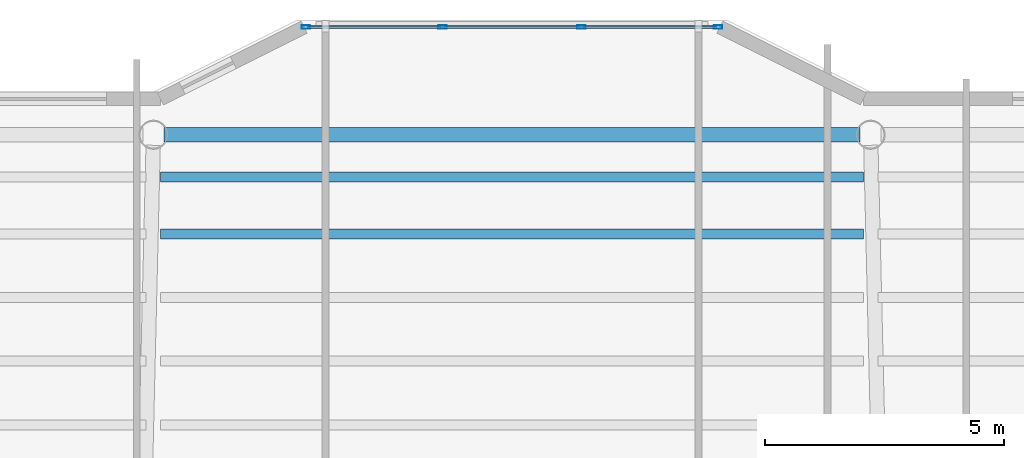
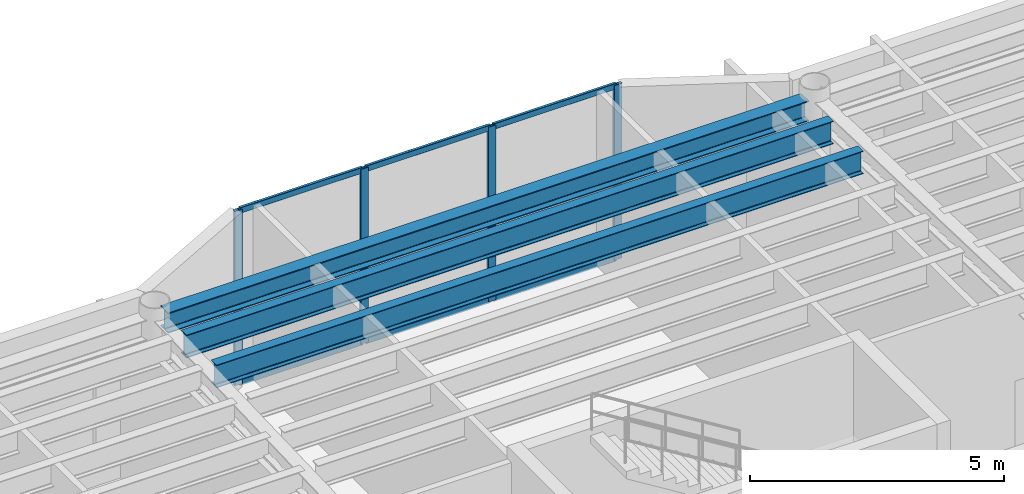
# One storey, part 19 of 33: 10 members, 3 beams, 1 element without a shape of its own.
"""IFC4 building model written with IfcOpenShell, lengths in metres."""

import ifcopenshell
import ifcopenshell.guid

model = None  # the IFC model being written
_history = None  # IfcOwnerHistory: only IFC2X3 demands one
_inside = {}  # id of a spatial element -> (the spatial element, [elements in it])
_under = {}  # id of a project, library or spatial element -> (it, [spatial elements below it])
_declared = {}  # id of a project -> (the project, [libraries it declares])
_typed = {}  # id of a type object -> (the type object, [elements of that type])
_made_of = {}  # id of a material, layer set ... -> (it, [elements and type objects made of it])


def new_model(schema):
    """Start an empty IFC model of exactly this schema.

    Asked for "IFC4X3", IfcOpenShell would pick the latest addendum, in which some entities
    have other attributes; the version numbers below select the first issue.
    IFC2X3 requires an IfcOwnerHistory on every rooted entity: one is made here for all.
    """
    global model, _history
    if schema == "IFC4X3":
        model = ifcopenshell.file(schema_version=(4, 3, 0, 0))
    else:
        model = ifcopenshell.file(schema=schema)
    _inside.clear()
    _under.clear()
    _declared.clear()
    _typed.clear()
    _made_of.clear()
    _history = None
    if model.schema == "IFC2X3":
        org = make("IfcOrganization", Name="unknown")
        user = make(
            "IfcPersonAndOrganization",
            ThePerson=make("IfcPerson", FamilyName="unknown"),
            TheOrganization=org,
        )
        app = make(
            "IfcApplication",
            ApplicationDeveloper=org,
            Version="unknown",
            ApplicationFullName="unknown",
            ApplicationIdentifier="unknown",
        )
        _history = make(
            "IfcOwnerHistory",
            OwningUser=user,
            OwningApplication=app,
            ChangeAction="ADDED",
            CreationDate=0,
        )
    return model


def make(cls, **values):
    """One entity of the class cls with the attributes given. An attribute that is None is left unset."""
    return model.create_entity(
        cls, **{name: value for name, value in values.items() if value is not None}
    )


def rooted(cls, **values):
    """An entity with a GlobalId (a new one), such as an element, a storey or a relation."""
    return make(cls, GlobalId=ifcopenshell.guid.new(), OwnerHistory=_history, **values)


def si_unit(unit_type, name, prefix=None):
    """IfcSIUnit, for example si_unit("LENGTHUNIT", "METRE", prefix="MILLI")."""
    return make("IfcSIUnit", UnitType=unit_type, Prefix=prefix, Name=name)


def assignment(units):
    """IfcUnitAssignment: the units of a project."""
    return None if units is None else make("IfcUnitAssignment", Units=units)


def point(xyz):
    """IfcCartesianPoint."""
    return None if xyz is None else make("IfcCartesianPoint", Coordinates=xyz)


def direction(xyz):
    """IfcDirection."""
    return None if xyz is None else make("IfcDirection", DirectionRatios=xyz)


def frame(location, z_axis=None, x_axis=None):
    """IfcAxis2Placement3D, a coordinate frame: its origin and axes. An axis left out is left unset."""
    return make(
        "IfcAxis2Placement3D",
        Location=point(location),
        Axis=direction(z_axis),
        RefDirection=direction(x_axis),
    )


def frame_2d(location, x_axis=None):
    """IfcAxis2Placement2D, a coordinate frame in the plane: its origin and x axis."""
    return make(
        "IfcAxis2Placement2D", Location=point(location), RefDirection=direction(x_axis)
    )


def origin():
    """The frame at (0, 0, 0) with its axes left unset."""
    return frame((0.0, 0.0, 0.0))


def origin_2d():
    """The frame at (0, 0) in the plane with its x axis left unset."""
    return frame_2d((0.0, 0.0))


def place(relative_to, where):
    """IfcLocalPlacement: puts the frame where relative to a parent placement (None: the world)."""
    return make(
        "IfcLocalPlacement", PlacementRelTo=relative_to, RelativePlacement=where
    )


def context(
    kind, dimensions, precision=None, world=None, true_north=None, identifier=None
):
    """IfcGeometricRepresentationContext, for example the 3D "Model" context."""
    return make(
        "IfcGeometricRepresentationContext",
        ContextIdentifier=identifier,
        ContextType=kind,
        CoordinateSpaceDimension=dimensions,
        Precision=precision,
        WorldCoordinateSystem=world,
        TrueNorth=true_north,
    )


def subcontext(parent, identifier, kind, view, scale=None):
    """IfcGeometricRepresentationSubContext, for example "Body" below "Model"."""
    return make(
        "IfcGeometricRepresentationSubContext",
        ContextIdentifier=identifier,
        ContextType=kind,
        ParentContext=parent,
        TargetScale=scale,
        TargetView=view,
    )


def project(units=None, contexts=None):
    """IfcProject with its units and contexts."""
    return rooted(
        "IfcProject",
        Name="project",
        RepresentationContexts=contexts,
        UnitsInContext=assignment(units),
    )


def spatial(cls, under=None, at=None, **own):
    """A site, building, storey or space (cls), placed at a placement, below another one or the project."""
    s = rooted(cls, ObjectPlacement=at, **own)
    if under is not None:
        _under.setdefault(under.id(), (under, []))[1].append(s)
    return s


def profile(cls, at=None, kind="AREA", **sizes):
    """A parametric profile (cls). Its sizes go by their IFC names, for example OverallWidth=200.0."""
    return make(cls, ProfileType=kind, Position=at, **sizes)


def hollow_rectangle(**sizes):
    """IfcRectangleHollowProfileDef."""
    return profile("IfcRectangleHollowProfileDef", **sizes)


def i_section(**sizes):
    """IfcIShapeProfileDef."""
    return profile("IfcIShapeProfileDef", **sizes)


def extrude(swept, where, along, depth):
    """IfcExtrudedAreaSolid: the profile swept, set in the frame where, extruded along a direction by depth."""
    return make(
        "IfcExtrudedAreaSolid",
        SweptArea=swept,
        Position=where,
        ExtrudedDirection=direction(along),
        Depth=depth,
    )


def shape(context_of_items, identifier, shape_type, items):
    """IfcShapeRepresentation: the items that make up one representation, for example the "Body"."""
    return make(
        "IfcShapeRepresentation",
        ContextOfItems=context_of_items,
        RepresentationIdentifier=identifier,
        RepresentationType=shape_type,
        Items=items,
    )


def material(Name=None, Category=None):
    """IfcMaterial."""
    return make("IfcMaterial", Name=Name, Category=Category)


def layer(
    of_material, thickness, ventilated=None, Name=None, Category=None, Priority=None
):
    """IfcMaterialLayer: one layer of a wall or slab, of a material (None: an air gap)."""
    return make(
        "IfcMaterialLayer",
        Material=of_material,
        LayerThickness=thickness,
        IsVentilated=ventilated,
        Name=Name,
        Category=Category,
        Priority=Priority,
    )


def layer_set(layers, Name=None):
    """IfcMaterialLayerSet."""
    return make("IfcMaterialLayerSet", MaterialLayers=layers, LayerSetName=Name)


def material_profile(
    of_material, cross_section, Name=None, Category=None, Priority=None
):
    """IfcMaterialProfile: a cross section and its material."""
    return make(
        "IfcMaterialProfile",
        Name=Name,
        Material=of_material,
        Profile=cross_section,
        Priority=Priority,
        Category=Category,
    )


def profile_set(profiles, Name=None, composite=None):
    """IfcMaterialProfileSet."""
    return make(
        "IfcMaterialProfileSet",
        Name=Name,
        MaterialProfiles=profiles,
        CompositeProfile=composite,
    )


def made_of(thing, what):
    """Note that an element or type object is made of a material, layer set ...; save() writes the relation."""
    if what is not None:
        _made_of.setdefault(what.id(), (what, []))[1].append(thing)
    return thing


def type_object(cls, material=None, **own):
    """A type object (cls), such as IfcWallType, which elements share."""
    return made_of(rooted(cls, **own), material)


def element(
    cls,
    number,
    at=None,
    inside=None,
    cuts=None,
    type_object=None,
    material=None,
    context=None,
    identifier="Body",
    shape_type=None,
    held_by="IfcProductDefinitionShape",
    body=None,
    shapes=None,
    **own,
):
    """One element of the class cls, such as IfcWall. Its Tag is "e" and its number.

    at: its placement. inside: the storey or other place that contains it. cuts: it is an
    opening in that element (IfcRelVoidsElement). A single representation is given by context,
    identifier, shape_type and body (its items); several are given by shapes. held_by: the class
    of the entity that holds the representations. save() writes the other relations.
    """
    e = rooted(cls, Tag="e%d" % number, ObjectPlacement=at, **own)
    if body is not None:
        shapes = [shape(context, identifier, shape_type, body)]
    if shapes is not None:
        e.Representation = make(held_by, Representations=shapes)
    if inside is not None:
        _inside.setdefault(inside.id(), (inside, []))[1].append(e)
    if cuts is not None:
        rooted(
            "IfcRelVoidsElement", RelatingBuildingElement=cuts, RelatedOpeningElement=e
        )
    if type_object is not None:
        _typed.setdefault(type_object.id(), (type_object, []))[1].append(e)
    return made_of(e, material)


def aggregate(whole, parts):
    """IfcRelAggregates: a whole, such as a stair, and the parts it consists of."""
    return rooted("IfcRelAggregates", RelatingObject=whole, RelatedObjects=parts)


def save(model, path):
    """Write the relations noted so far, then the file.

    IfcRelAggregates (storeys below a building ...), IfcRelContainedInSpatialStructure (elements
    in a storey), IfcRelDefinesByType, IfcRelAssociatesMaterial and IfcRelDeclares: one each for
    every whole, place, type object, material and project.
    """
    for whole, parts in _under.values():
        aggregate(whole, parts)
    for where, things in _inside.values():
        rooted(
            "IfcRelContainedInSpatialStructure",
            RelatedElements=things,
            RelatingStructure=where,
        )
    for kind, things in _typed.values():
        rooted("IfcRelDefinesByType", RelatedObjects=things, RelatingType=kind)
    for what, things in _made_of.values():
        rooted("IfcRelAssociatesMaterial", RelatedObjects=things, RelatingMaterial=what)
    for by, libraries in _declared.values():
        rooted("IfcRelDeclares", RelatingContext=by, RelatedDefinitions=libraries)
    model.write(path)


model = new_model("IFC4")

# Units and contexts
model_context = context("Model", 3, precision=1e-05, world=origin(), true_north=direction((0.0, 1.0)))
body_context = subcontext(model_context, "Body", "Model", "MODEL_VIEW")
ifc_project = project(units=[si_unit("LENGTHUNIT", "METRE"), si_unit("AREAUNIT", "SQUARE_METRE"), si_unit("VOLUMEUNIT", "CUBIC_METRE"), si_unit("PLANEANGLEUNIT", "RADIAN"), si_unit("MASSUNIT", "GRAM", prefix="KILO")], contexts=[model_context])

# Site, building, storey
site_placement = place(None, origin())
site = spatial("IfcSite", under=ifc_project, at=site_placement, CompositionType="ELEMENT")
building_placement = place(site_placement, origin())
building = spatial("IfcBuilding", under=site, at=building_placement, Name="Tarnavaz Court Tower", CompositionType="ELEMENT")
storey_placement = place(building_placement, frame((0.0, 0.0, 177.300048828125)))
storey = spatial("IfcBuildingStorey", under=building, at=storey_placement, Name="L48", CompositionType="ELEMENT", Elevation=177.300048828125)

# Beams
ifc_material_1 = material(Name="Steel S355", Category="steel")
ifc_material_profile_1 = material_profile(ifc_material_1, i_section(OverallWidth=0.2099609375, OverallDepth=0.550048828125, WebThickness=0.010986328125, FlangeThickness=0.01708984375, FilletRadius=0.02392578125, at=origin_2d()), Name="IPE 550")
ifc_profile_set_1 = profile_set([ifc_material_profile_1], Name="Steel S355")
beam_type_1 = type_object("IfcBeamType", Name="BM-J-IPE550", PredefinedType="JOIST", material=ifc_profile_set_1)
for number, where, z_axis, x_axis, name in (
    (1, (-7.35009765625, 18.327880859375, 3.925048828125), (1.0, 0.0, 0.0), (0.0, 1.0, 0.0), "L48 Beam JN4-2"),
    (2, (-7.35009765625, 19.511962890625, 3.925048828125), (1.0, 0.0, 0.0), (0.0, 1.0, 0.0), "L48 Beam JN5-2"),
):
    element("IfcBeam", number, at=place(storey_placement, frame(where, z_axis=z_axis, x_axis=x_axis)), inside=storey, type_object=beam_type_1, Name=name, PredefinedType="JOIST", context=body_context, shape_type="SweptSolid", body=[
        extrude(i_section(OverallWidth=0.2099609375, OverallDepth=0.550048828125, WebThickness=0.010986328125, FlangeThickness=0.01708984375, FilletRadius=0.02392578125, at=origin_2d()), origin(), (0.0, 0.0, 1.0), 14.7001953125),
    ])
ifc_material_profile_2 = material_profile(ifc_material_1, i_section(OverallWidth=0.300048828125, OverallDepth=0.489990234375, WebThickness=0.011962890625, FlangeThickness=0.02294921875, FilletRadius=0.027099609375, at=origin_2d()), Name="HEA 500")
ifc_profile_set_2 = profile_set([ifc_material_profile_2], Name="Steel S355")
beam_type_2 = type_object("IfcBeamType", Name="BM-SP-HEA500", PredefinedType="SPANDREL", material=ifc_profile_set_2)
beam_placement = place(storey_placement, frame((-7.280029296875, 20.39990234375, 3.954833984375), z_axis=(1.0, 0.0, 0.0), x_axis=(0.0, 1.0, 0.0)))
element("IfcBeam", 3, at=beam_placement, inside=storey, type_object=beam_type_2, Name="L48 Beam PR-PN-2-PN-3", PredefinedType="SPANDREL", context=body_context, shape_type="SweptSolid", body=[
    extrude(i_section(OverallWidth=0.300048828125, OverallDepth=0.489990234375, WebThickness=0.011962890625, FlangeThickness=0.02294921875, FilletRadius=0.027099609375, at=origin_2d()), origin(), (0.0, 0.0, 1.0), 14.56005859375),
])

# Curtain wall, members
ifc_material_2 = material(Name="Anodised Aluminium 6063-T6 and Solar Low-E Glazing", Category="aluminium")
ifc_layer = layer(ifc_material_2, 0.159912109375)
ifc_layer_set = layer_set([ifc_layer], Name="Anodised Aluminium 6063-T6 and Solar Low-E Glazing")
curtain_wall_type = type_object("IfcCurtainWallType", Name="CW-SYS-03", PredefinedType="NOTDEFINED", material=ifc_layer_set)
curtain_wall_placement = place(storey_placement, origin())
curtain_wall = element("IfcCurtainWall", 4, at=curtain_wall_placement, inside=storey, type_object=curtain_wall_type, Name="L48 Iwan Prow Curtain Wall 7", PredefinedType="NOTDEFINED")
ifc_material_3 = material(Name="Anodised Aluminium 6063-T6", Category="aluminium")
ifc_material_profile_3 = material_profile(ifc_material_3, hollow_rectangle(XDim=0.074951171875, YDim=0.179931640625, WallThickness=0.0048828125, InnerFilletRadius=0.0048828125, OuterFilletRadius=0.010009765625, at=origin_2d()), Name="ALU RHS 180X75X5")
ifc_profile_set_3 = profile_set([ifc_material_profile_3], Name="Anodised Aluminium 6063-T6")
member_type_1 = type_object("IfcMemberType", Name="CW-MUL-180", PredefinedType="MULLION", material=ifc_profile_set_3)
member_1_placement = place(storey_placement, frame((-4.3125, 22.64990234375, 0.0), z_axis=(0.0, 0.0, 1.0), x_axis=(0.0, 1.0, 0.0)))
member_1 = element("IfcMember", 5, at=member_1_placement, type_object=member_type_1, Name="CW mullion 1", PredefinedType="MULLION", context=body_context, shape_type="SweptSolid", body=[
    extrude(hollow_rectangle(XDim=0.074951171875, YDim=0.179931640625, WallThickness=0.0048828125, InnerFilletRadius=0.0048828125, OuterFilletRadius=0.010009765625, at=origin_2d()), origin(), (0.0, 0.0, 1.0), 4.199951171875),
])
member_2_placement = place(storey_placement, frame((-1.449951171875, 22.64990234375, 0.0), z_axis=(0.0, 0.0, 1.0), x_axis=(0.0, 1.0, 0.0)))
member_2 = element("IfcMember", 6, at=member_2_placement, type_object=member_type_1, Name="CW mullion 2", PredefinedType="MULLION", context=body_context, shape_type="SweptSolid", body=[
    extrude(hollow_rectangle(XDim=0.074951171875, YDim=0.179931640625, WallThickness=0.0048828125, InnerFilletRadius=0.0048828125, OuterFilletRadius=0.010009765625, at=origin_2d()), origin(), (0.0, 0.0, 1.0), 4.199951171875),
])
member_3_placement = place(storey_placement, frame((1.449951171875, 22.64990234375, 0.0), z_axis=(0.0, 0.0, 1.0), x_axis=(0.0, 1.0, 0.0)))
member_3 = element("IfcMember", 7, at=member_3_placement, type_object=member_type_1, Name="CW mullion 3", PredefinedType="MULLION", context=body_context, shape_type="SweptSolid", body=[
    extrude(hollow_rectangle(XDim=0.074951171875, YDim=0.179931640625, WallThickness=0.0048828125, InnerFilletRadius=0.0048828125, OuterFilletRadius=0.010009765625, at=origin_2d()), origin(), (0.0, 0.0, 1.0), 4.199951171875),
])
member_4_placement = place(storey_placement, frame((4.3125, 22.64990234375, 0.0), z_axis=(0.0, 0.0, 1.0), x_axis=(0.0, 1.0, 0.0)))
member_4 = element("IfcMember", 8, at=member_4_placement, type_object=member_type_1, Name="CW mullion 4", PredefinedType="MULLION", context=body_context, shape_type="SweptSolid", body=[
    extrude(hollow_rectangle(XDim=0.074951171875, YDim=0.179931640625, WallThickness=0.0048828125, InnerFilletRadius=0.0048828125, OuterFilletRadius=0.010009765625, at=origin_2d()), origin(), (0.0, 0.0, 1.0), 4.199951171875),
])
ifc_material_profile_4 = material_profile(ifc_material_3, hollow_rectangle(XDim=0.06494140625, YDim=0.139892578125, WallThickness=0.00390625, InnerFilletRadius=0.00390625, OuterFilletRadius=0.008056640625, at=origin_2d()), Name="ALU RHS 140X65X4")
ifc_profile_set_4 = profile_set([ifc_material_profile_4], Name="Anodised Aluminium 6063-T6")
member_type_2 = type_object("IfcMemberType", Name="CW-TRN-140", PredefinedType="USERDEFINED", material=ifc_profile_set_4)
member_5_placement = place(storey_placement, frame((-4.27490234375, 22.64990234375, 0.032470703125), z_axis=(1.0, 0.0, 0.0), x_axis=(0.0, 1.0, 0.0)))
member_5 = element("IfcMember", 9, at=member_5_placement, type_object=member_type_2, Name="CW transom 1.1", ObjectType="TRANSOM", PredefinedType="USERDEFINED", context=body_context, shape_type="SweptSolid", body=[
    extrude(hollow_rectangle(XDim=0.06494140625, YDim=0.139892578125, WallThickness=0.00390625, InnerFilletRadius=0.00390625, OuterFilletRadius=0.008056640625, at=origin_2d()), origin(), (0.0, 0.0, 1.0), 2.787353515625),
])
member_6_placement = place(storey_placement, frame((-4.27490234375, 22.64990234375, 4.16748046875), z_axis=(1.0, 0.0, 0.0), x_axis=(0.0, 1.0, 0.0)))
member_6 = element("IfcMember", 10, at=member_6_placement, type_object=member_type_2, Name="CW transom 1.2", ObjectType="TRANSOM", PredefinedType="USERDEFINED", context=body_context, shape_type="SweptSolid", body=[
    extrude(hollow_rectangle(XDim=0.06494140625, YDim=0.139892578125, WallThickness=0.00390625, InnerFilletRadius=0.00390625, OuterFilletRadius=0.008056640625, at=origin_2d()), origin(), (0.0, 0.0, 1.0), 2.787353515625),
])
member_7_placement = place(storey_placement, frame((-1.41259765625, 22.64990234375, 0.032470703125), z_axis=(1.0, 0.0, 0.0), x_axis=(0.0, 1.0, 0.0)))
member_7 = element("IfcMember", 11, at=member_7_placement, type_object=member_type_2, Name="CW transom 2.1", ObjectType="TRANSOM", PredefinedType="USERDEFINED", context=body_context, shape_type="SweptSolid", body=[
    extrude(hollow_rectangle(XDim=0.06494140625, YDim=0.139892578125, WallThickness=0.00390625, InnerFilletRadius=0.00390625, OuterFilletRadius=0.008056640625, at=origin_2d()), origin(), (0.0, 0.0, 1.0), 2.8251953125),
])
member_8_placement = place(storey_placement, frame((-1.41259765625, 22.64990234375, 4.16748046875), z_axis=(1.0, 0.0, 0.0), x_axis=(0.0, 1.0, 0.0)))
member_8 = element("IfcMember", 12, at=member_8_placement, type_object=member_type_2, Name="CW transom 2.2", ObjectType="TRANSOM", PredefinedType="USERDEFINED", context=body_context, shape_type="SweptSolid", body=[
    extrude(hollow_rectangle(XDim=0.06494140625, YDim=0.139892578125, WallThickness=0.00390625, InnerFilletRadius=0.00390625, OuterFilletRadius=0.008056640625, at=origin_2d()), origin(), (0.0, 0.0, 1.0), 2.8251953125),
])
member_9_placement = place(storey_placement, frame((1.487548828125, 22.64990234375, 0.032470703125), z_axis=(1.0, 0.0, 0.0), x_axis=(0.0, 1.0, 0.0)))
member_9 = element("IfcMember", 13, at=member_9_placement, type_object=member_type_2, Name="CW transom 3.1", ObjectType="TRANSOM", PredefinedType="USERDEFINED", context=body_context, shape_type="SweptSolid", body=[
    extrude(hollow_rectangle(XDim=0.06494140625, YDim=0.139892578125, WallThickness=0.00390625, InnerFilletRadius=0.00390625, OuterFilletRadius=0.008056640625, at=origin_2d()), origin(), (0.0, 0.0, 1.0), 2.787353515625),
])
member_10_placement = place(storey_placement, frame((1.487548828125, 22.64990234375, 4.16748046875), z_axis=(1.0, 0.0, 0.0), x_axis=(0.0, 1.0, 0.0)))
member_10 = element("IfcMember", 14, at=member_10_placement, type_object=member_type_2, Name="CW transom 3.2", ObjectType="TRANSOM", PredefinedType="USERDEFINED", context=body_context, shape_type="SweptSolid", body=[
    extrude(hollow_rectangle(XDim=0.06494140625, YDim=0.139892578125, WallThickness=0.00390625, InnerFilletRadius=0.00390625, OuterFilletRadius=0.008056640625, at=origin_2d()), origin(), (0.0, 0.0, 1.0), 2.787353515625),
])
aggregate(curtain_wall, [member_1, member_2, member_3, member_4, member_5, member_6, member_7, member_8, member_9, member_10])

save(model, "model.ifc")
